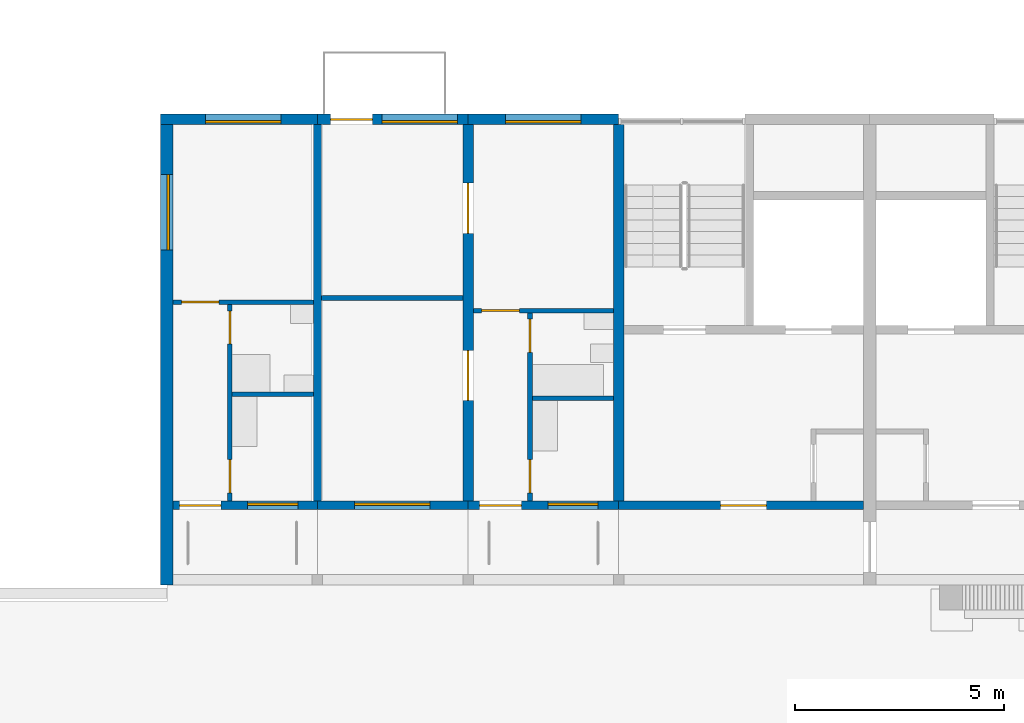
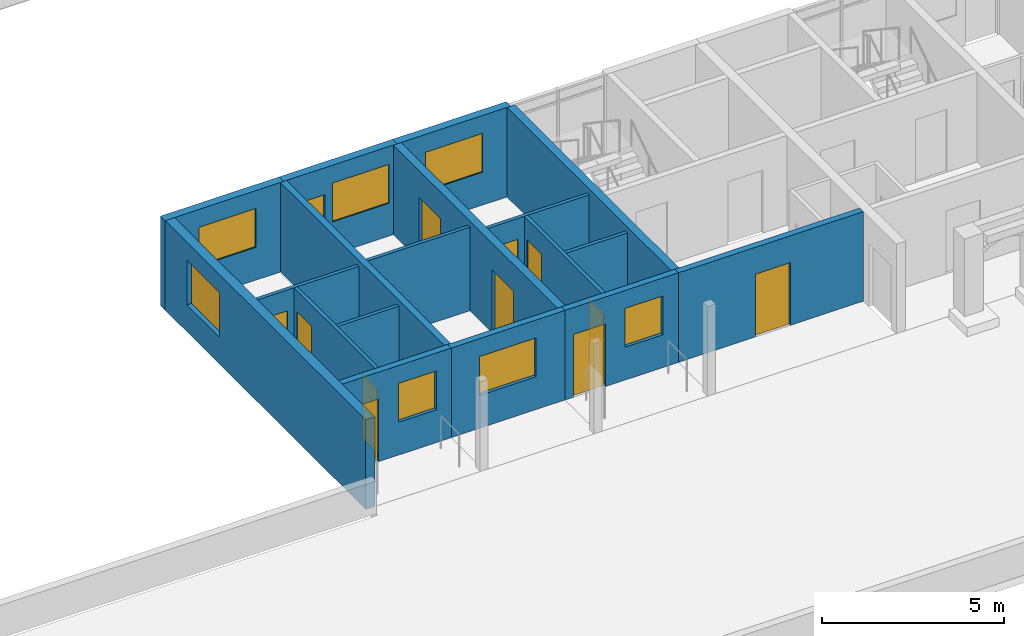
# One storey, part 57 of 115: 18 walls, 12 doors, 7 windows, 19 openings.
"""IFC4 building model written with IfcOpenShell, lengths in metres."""

from ifc_helpers import new_model, si_unit, direction, frame, frame_2d, origin, place, context, subcontext, project, spatial, rectangle, extrude, material, layer, layer_set, type_object, element, fill, save


model = new_model("IFC4")

# Units and contexts
model_context = context("Model", 3, precision=1e-05, world=origin(), true_north=direction((0.0, 1.0)))
body_context = subcontext(model_context, "Body", "Model", "MODEL_VIEW")
ifc_project = project(units=[si_unit("LENGTHUNIT", "METRE"), si_unit("AREAUNIT", "SQUARE_METRE"), si_unit("VOLUMEUNIT", "CUBIC_METRE"), si_unit("PLANEANGLEUNIT", "RADIAN"), si_unit("MASSUNIT", "GRAM", prefix="KILO")], contexts=[model_context])

# Site, building, storey
site_placement = place(None, origin())
site = spatial("IfcSite", under=ifc_project, at=site_placement, CompositionType="ELEMENT")
building_placement = place(site_placement, origin())
building = spatial("IfcBuilding", under=site, at=building_placement, Name="Ridgestep Commons", CompositionType="ELEMENT")
storey_placement = place(building_placement, frame((0.0, 0.0, 6.0)))
storey = spatial("IfcBuildingStorey", under=building, at=storey_placement, Name="L02", CompositionType="ELEMENT", Elevation=6.0)

# Wall
ifc_material_1 = material(Name="Concrete C30/37", Category="concrete")
ifc_layer_1 = layer(ifc_material_1, 0.25)
ifc_layer_set_1 = layer_set([ifc_layer_1], Name="Core cross wall 250")
wall_type_1 = type_object("IfcWallType", Name="Core cross wall 250", PredefinedType="SHEAR", material=ifc_layer_set_1)
wall_1_placement = place(storey_placement, frame((157.60009765625, 13.75, 0.0), z_axis=(0.0, 0.0, 1.0), x_axis=(0.0, 1.0, 0.0)))
element("IfcWall", 1, at=wall_1_placement, inside=storey, type_object=wall_type_1, Name="Cross wall D-02-1576", PredefinedType="SHEAR", context=body_context, shape_type="SweptSolid", body=[
    extrude(rectangle(XDim=9.0, YDim=0.25, at=frame_2d((4.5, 0.0))), origin(), (0.0, 0.0, 1.0), 3.0),
])

# Wall, opening, door
ifc_material_2 = material(Name="Concrete C30/37", Category="concrete")
ifc_layer_2 = layer(ifc_material_2, 0.199951171875)
ifc_layer_set_2 = layer_set([ifc_layer_2], Name="Core south wall 200")
wall_type_2 = type_object("IfcWallType", Name="Core south wall 200", PredefinedType="SHEAR", material=ifc_layer_set_2)
wall_2_placement = place(storey_placement, frame((157.60009765625, 13.64990234375, 0.0), z_axis=(0.0, 0.0, 1.0), x_axis=(1.0, 0.0, 0.0)))
wall_2 = element("IfcWall", 2, at=wall_2_placement, inside=storey, type_object=wall_type_2, Name="Core south wall D1C L02", PredefinedType="SHEAR", context=body_context, shape_type="SweptSolid", body=[
    extrude(rectangle(XDim=5.849853515625, YDim=0.199951171875, at=frame_2d((2.9248046875, 0.0))), origin(), (0.0, 0.0, 1.0), 3.0),
])
opening_1_placement = place(wall_2_placement, frame((2.4375, 0.0, 0.0)))
opening_1 = element("IfcOpeningElement", 3, at=opening_1_placement, cuts=wall_2, Name="Opening D1C/02/1", PredefinedType="OPENING", context=body_context, shape_type="SweptSolid", body=[
    extrude(rectangle(XDim=1.10009765625, YDim=2.10009765625, at=frame_2d((0.550048828125, 1.050048828125))), frame((0.0, 0.10986328125, 0.0), z_axis=(0.0, -1.0, 0.0), x_axis=(1.0, 0.0, 0.0)), (0.0, 0.0, 1.0), 0.219970703125),
])
ifc_material_3 = material(Name="Steel fire door", Category="steel")
door_type_1 = type_object("IfcDoorType", Name="Lobby door 1100 x 2100 FD60", OperationType="NOTDEFINED", PredefinedType="DOOR", material=ifc_material_3)
door_1_placement = place(opening_1_placement, origin())
door_1 = element("IfcDoor", 4, at=door_1_placement, inside=storey, type_object=door_type_1, Name="Lobby door D1C/02/1", OperationType="SINGLE_SWING_LEFT", OverallHeight=2.10009765625, OverallWidth=1.10009765625, PredefinedType="DOOR", context=body_context, shape_type="SweptSolid", body=[
    extrude(rectangle(XDim=1.10009765625, YDim=2.10009765625, at=frame_2d((0.550048828125, 1.050048828125))), frame((0.0, 0.02490234375, 0.0), z_axis=(0.0, -1.0, 0.0), x_axis=(1.0, 0.0, 0.0)), (0.0, 0.0, 1.0), 0.050048828125),
])
fill(opening_1, door_1)

# Wall
ifc_material_4 = material(Name="Precast concrete C40/50", Category="concrete")
ifc_layer_3 = layer(ifc_material_4, 0.199951171875)
ifc_layer_set_3 = layer_set([ifc_layer_3], Name="Cross wall 200")
wall_type_3 = type_object("IfcWallType", Name="Cross wall 200", PredefinedType="SHEAR", material=ifc_layer_set_3)
wall_3_placement = place(storey_placement, frame((150.39990234375, 13.75, 0.0), z_axis=(0.0, 0.0, 1.0), x_axis=(0.0, 1.0, 0.0)))
element("IfcWall", 5, at=wall_3_placement, inside=storey, type_object=wall_type_3, Name="Cross wall D-02-1504", PredefinedType="SHEAR", context=body_context, shape_type="SweptSolid", body=[
    extrude(rectangle(XDim=9.0, YDim=0.199951171875, at=frame_2d((4.5, 0.0))), origin(), (0.0, 0.0, 1.0), 3.0),
])

# Wall, openings, doors
ifc_material_5 = material(Name="Precast concrete C40/50", Category="concrete")
ifc_layer_4 = layer(ifc_material_5, 0.25)
ifc_layer_set_4 = layer_set([ifc_layer_4], Name="Cross wall 250")
wall_type_4 = type_object("IfcWallType", Name="Cross wall 250", PredefinedType="SHEAR", material=ifc_layer_set_4)
wall_4_placement = place(storey_placement, frame((154.0, 13.75, 0.0), z_axis=(0.0, 0.0, 1.0), x_axis=(0.0, 1.0, 0.0)))
wall_4 = element("IfcWall", 6, at=wall_4_placement, inside=storey, type_object=wall_type_4, Name="Cross wall D-02-1540", PredefinedType="SHEAR", context=body_context, shape_type="SweptSolid", body=[
    extrude(rectangle(XDim=9.0, YDim=0.25, at=frame_2d((4.5, 0.0))), origin(), (0.0, 0.0, 1.0), 3.0),
])
opening_2_placement = place(wall_4_placement, frame((2.39990234375, 0.0, 0.0)))
opening_2 = element("IfcOpeningElement", 7, at=opening_2_placement, cuts=wall_4, Name="Opening D1-02b/5", PredefinedType="OPENING", context=body_context, shape_type="SweptSolid", body=[
    extrude(rectangle(XDim=1.199951171875, YDim=2.10009765625, at=frame_2d((0.60009765625, 1.050048828125))), frame((0.0, 0.135009765625, 0.0), z_axis=(0.0, -1.0, 0.0), x_axis=(1.0, 0.0, 0.0)), (0.0, 0.0, 1.0), 0.27001953125),
])
opening_3_placement = place(wall_4_placement, frame((6.39990234375, 0.0, 0.0)))
opening_3 = element("IfcOpeningElement", 8, at=opening_3_placement, cuts=wall_4, Name="Opening D1-02b/6", PredefinedType="OPENING", context=body_context, shape_type="SweptSolid", body=[
    extrude(rectangle(XDim=1.199951171875, YDim=2.10009765625, at=frame_2d((0.60009765625, 1.050048828125))), frame((0.0, 0.135009765625, 0.0), z_axis=(0.0, -1.0, 0.0), x_axis=(1.0, 0.0, 0.0)), (0.0, 0.0, 1.0), 0.27001953125),
])
ifc_material_6 = material(Name="Timber door leaf", Category="wood")
door_type_2 = type_object("IfcDoorType", Name="Double door 1200 x 2100", OperationType="DOUBLE_DOOR_SINGLE_SWING", PredefinedType="DOOR", material=ifc_material_6)
door_2_placement = place(opening_2_placement, origin())
door_2 = element("IfcDoor", 9, at=door_2_placement, inside=storey, type_object=door_type_2, Name="Double door D1-02b/5", OperationType="DOUBLE_DOOR_SINGLE_SWING", OverallHeight=2.10009765625, OverallWidth=1.199951171875, PredefinedType="DOOR", context=body_context, shape_type="SweptSolid", body=[
    extrude(rectangle(XDim=1.199951171875, YDim=2.10009765625, at=frame_2d((0.60009765625, 1.050048828125))), frame((0.0, 0.02490234375, 0.0), z_axis=(0.0, -1.0, 0.0), x_axis=(1.0, 0.0, 0.0)), (0.0, 0.0, 1.0), 0.050048828125),
])
fill(opening_2, door_2)
door_3_placement = place(opening_3_placement, origin())
door_3 = element("IfcDoor", 10, at=door_3_placement, inside=storey, type_object=door_type_2, Name="Double door D1-02b/6", OperationType="DOUBLE_DOOR_SINGLE_SWING", OverallHeight=2.10009765625, OverallWidth=1.199951171875, PredefinedType="DOOR", context=body_context, shape_type="SweptSolid", body=[
    extrude(rectangle(XDim=1.199951171875, YDim=2.10009765625, at=frame_2d((0.60009765625, 1.050048828125))), frame((0.0, 0.02490234375, 0.0), z_axis=(0.0, -1.0, 0.0), x_axis=(1.0, 0.0, 0.0)), (0.0, 0.0, 1.0), 0.050048828125),
])
fill(opening_3, door_3)

# Wall, opening, window
ifc_material_7 = material(Name="Precast concrete C40/50", Category="concrete")
ifc_layer_5 = layer(ifc_material_7, 0.300048828125)
ifc_layer_set_5 = layer_set([ifc_layer_5], Name="Exposed division wall 300")
wall_type_5 = type_object("IfcWallType", Name="Exposed division wall 300", PredefinedType="SHEAR", material=ifc_layer_set_5)
wall_5_placement = place(storey_placement, frame((146.800048828125, 11.75, 0.0), z_axis=(0.0, 0.0, 1.0), x_axis=(0.0, 1.0, 0.0)))
wall_5 = element("IfcWall", 11, at=wall_5_placement, inside=storey, type_object=wall_type_5, Name="Cross wall D-02-1468", PredefinedType="SHEAR", context=body_context, shape_type="SweptSolid", body=[
    extrude(rectangle(XDim=11.0, YDim=0.300048828125, at=frame_2d((5.5, 0.0))), origin(), (0.0, 0.0, 1.0), 3.0),
])
opening_4_placement = place(wall_5_placement, frame((8.0048828125, 0.0, 0.89990234375)))
opening_4 = element("IfcOpeningElement", 12, at=opening_4_placement, cuts=wall_5, Name="Opening W20", PredefinedType="OPENING", context=body_context, shape_type="SweptSolid", body=[
    extrude(rectangle(XDim=1.800048828125, YDim=1.5, at=frame_2d((0.89990234375, 0.75))), frame((0.0, 0.159912109375, 0.0), z_axis=(0.0, -1.0, 0.0), x_axis=(1.0, 0.0, 0.0)), (0.0, 0.0, 1.0), 0.320068359375),
])
ifc_material_8 = material(Name="Aluminium 6063-T6 and glass", Category="aluminium")
window_type_1 = type_object("IfcWindowType", Name="Flat window 1800 x 1500", PartitioningType="DOUBLE_PANEL_VERTICAL", PredefinedType="WINDOW", material=ifc_material_8)
window_1_placement = place(opening_4_placement, origin())
window_1 = element("IfcWindow", 13, at=window_1_placement, inside=storey, type_object=window_type_1, Name="Window D1-02a 3", OverallHeight=1.5, OverallWidth=1.800048828125, PartitioningType="SINGLE_PANEL", PredefinedType="WINDOW", context=body_context, shape_type="SweptSolid", body=[
    extrude(rectangle(XDim=1.800048828125, YDim=1.5, at=frame_2d((0.89990234375, 0.75))), frame((0.0, 0.0, 0.0), z_axis=(0.0, -1.0, 0.0), x_axis=(1.0, 0.0, 0.0)), (0.0, 0.0, 1.0), 0.06005859375),
])
fill(opening_4, window_1)

ifc_material_9 = material(Name="Precast concrete C40/50", Category="concrete")
ifc_layer_6 = layer(ifc_material_9, 0.25)
ifc_layer_set_6 = layer_set([ifc_layer_6], Name="North facade panel 250")
wall_type_6 = type_object("IfcWallType", Name="North facade panel 250", PredefinedType="SOLIDWALL", material=ifc_layer_set_6)
wall_6_placement = place(storey_placement, frame((146.64990234375, 22.875, 0.0), z_axis=(0.0, 0.0, 1.0), x_axis=(1.0, 0.0, 0.0)))
wall_6 = element("IfcWall", 14, at=wall_6_placement, inside=storey, type_object=wall_type_6, Name="North panel D1T1 L02", PredefinedType="SOLIDWALL", context=body_context, shape_type="SweptSolid", body=[
    extrude(rectangle(XDim=3.75, YDim=0.25, at=frame_2d((1.875, 0.0))), origin(), (0.0, 0.0, 1.0), 3.0),
])
opening_5_placement = place(wall_6_placement, frame((1.074951171875, 0.0, 1.10009765625)))
opening_5 = element("IfcOpeningElement", 15, at=opening_5_placement, cuts=wall_6, Name="Opening W18", PredefinedType="OPENING", context=body_context, shape_type="SweptSolid", body=[
    extrude(rectangle(XDim=1.800048828125, YDim=1.300048828125, at=frame_2d((0.89990234375, 0.64990234375))), frame((0.0, 0.135009765625, 0.0), z_axis=(0.0, -1.0, 0.0), x_axis=(1.0, 0.0, 0.0)), (0.0, 0.0, 1.0), 0.27001953125),
])
ifc_material_10 = material(Name="Aluminium 6063-T6 and glass", Category="aluminium")
window_type_2 = type_object("IfcWindowType", Name="Flat window 1800 x 1300", PartitioningType="DOUBLE_PANEL_VERTICAL", PredefinedType="WINDOW", material=ifc_material_10)
window_2_placement = place(opening_5_placement, origin())
window_2 = element("IfcWindow", 16, at=window_2_placement, inside=storey, type_object=window_type_2, Name="Window D1-02a 2", OverallHeight=1.300048828125, OverallWidth=1.800048828125, PartitioningType="SINGLE_PANEL", PredefinedType="WINDOW", context=body_context, shape_type="SweptSolid", body=[
    extrude(rectangle(XDim=1.800048828125, YDim=1.300048828125, at=frame_2d((0.89990234375, 0.64990234375))), frame((0.0, -0.02490234375, 0.0), z_axis=(0.0, -1.0, 0.0), x_axis=(1.0, 0.0, 0.0)), (0.0, 0.0, 1.0), 0.06005859375),
])
fill(opening_5, window_2)

# Wall, openings, door, window
wall_7_placement = place(storey_placement, frame((150.39990234375, 22.875, 0.0), z_axis=(0.0, 0.0, 1.0), x_axis=(1.0, 0.0, 0.0)))
wall_7 = element("IfcWall", 17, at=wall_7_placement, inside=storey, type_object=wall_type_6, Name="North panel D1T2 L02", PredefinedType="SOLIDWALL", context=body_context, shape_type="SweptSolid", body=[
    extrude(rectangle(XDim=3.60009765625, YDim=0.25, at=frame_2d((1.800048828125, 0.0))), origin(), (0.0, 0.0, 1.0), 3.0),
])
opening_6_placement = place(wall_7_placement, frame((1.544921875, 0.0, 1.10009765625)))
opening_6 = element("IfcOpeningElement", 18, at=opening_6_placement, cuts=wall_7, Name="Opening W18", PredefinedType="OPENING", context=body_context, shape_type="SweptSolid", body=[
    extrude(rectangle(XDim=1.800048828125, YDim=1.300048828125, at=frame_2d((0.89990234375, 0.64990234375))), frame((0.0, 0.135009765625, 0.0), z_axis=(0.0, -1.0, 0.0), x_axis=(1.0, 0.0, 0.0)), (0.0, 0.0, 1.0), 0.27001953125),
])
opening_7_placement = place(wall_7_placement, frame((0.31494140625, 0.0, 0.0)))
opening_7 = element("IfcOpeningElement", 19, at=opening_7_placement, cuts=wall_7, Name="Opening D1-02b/7", PredefinedType="OPENING", context=body_context, shape_type="SweptSolid", body=[
    extrude(rectangle(XDim=1.0, YDim=2.10009765625, at=frame_2d((0.5, 1.050048828125))), frame((0.0, 0.135009765625, 0.0), z_axis=(0.0, -1.0, 0.0), x_axis=(1.0, 0.0, 0.0)), (0.0, 0.0, 1.0), 0.27001953125),
])
ifc_material_11 = material(Name="Aluminium and glass", Category="aluminium")
door_type_3 = type_object("IfcDoorType", Name="Balcony door 1000 x 2100", OperationType="NOTDEFINED", PredefinedType="DOOR", material=ifc_material_11)
door_4_placement = place(opening_7_placement, origin())
door_4 = element("IfcDoor", 20, at=door_4_placement, inside=storey, type_object=door_type_3, Name="Balcony door D1-02b/7", OperationType="SINGLE_SWING_RIGHT", OverallHeight=2.10009765625, OverallWidth=1.0, PredefinedType="DOOR", context=body_context, shape_type="SweptSolid", body=[
    extrude(rectangle(XDim=1.0, YDim=2.10009765625, at=frame_2d((0.5, 1.050048828125))), frame((0.0, 0.02490234375, 0.0), z_axis=(0.0, -1.0, 0.0), x_axis=(1.0, 0.0, 0.0)), (0.0, 0.0, 1.0), 0.050048828125),
])
fill(opening_7, door_4)
window_3_placement = place(opening_6_placement, origin())
window_3 = element("IfcWindow", 21, at=window_3_placement, inside=storey, type_object=window_type_2, Name="Window D1-02b 2", OverallHeight=1.300048828125, OverallWidth=1.800048828125, PartitioningType="SINGLE_PANEL", PredefinedType="WINDOW", context=body_context, shape_type="SweptSolid", body=[
    extrude(rectangle(XDim=1.800048828125, YDim=1.300048828125, at=frame_2d((0.89990234375, 0.64990234375))), frame((0.0, -0.02490234375, 0.0), z_axis=(0.0, -1.0, 0.0), x_axis=(1.0, 0.0, 0.0)), (0.0, 0.0, 1.0), 0.06005859375),
])
fill(opening_6, window_3)

# Wall, opening, window
wall_8_placement = place(storey_placement, frame((154.0, 22.875, 0.0), z_axis=(0.0, 0.0, 1.0), x_axis=(1.0, 0.0, 0.0)))
wall_8 = element("IfcWall", 22, at=wall_8_placement, inside=storey, type_object=wall_type_6, Name="North panel D1T3 L02", PredefinedType="SOLIDWALL", context=body_context, shape_type="SweptSolid", body=[
    extrude(rectangle(XDim=3.60009765625, YDim=0.25, at=frame_2d((1.800048828125, 0.0))), origin(), (0.0, 0.0, 1.0), 3.0),
])
opening_8_placement = place(wall_8_placement, frame((0.89990234375, 0.0, 1.10009765625)))
opening_8 = element("IfcOpeningElement", 23, at=opening_8_placement, cuts=wall_8, Name="Opening W18", PredefinedType="OPENING", context=body_context, shape_type="SweptSolid", body=[
    extrude(rectangle(XDim=1.800048828125, YDim=1.300048828125, at=frame_2d((0.89990234375, 0.64990234375))), frame((0.0, 0.135009765625, 0.0), z_axis=(0.0, -1.0, 0.0), x_axis=(1.0, 0.0, 0.0)), (0.0, 0.0, 1.0), 0.27001953125),
])
window_4_placement = place(opening_8_placement, origin())
window_4 = element("IfcWindow", 24, at=window_4_placement, inside=storey, type_object=window_type_2, Name="Window D1-02b 4", OverallHeight=1.300048828125, OverallWidth=1.800048828125, PartitioningType="SINGLE_PANEL", PredefinedType="WINDOW", context=body_context, shape_type="SweptSolid", body=[
    extrude(rectangle(XDim=1.800048828125, YDim=1.300048828125, at=frame_2d((0.89990234375, 0.64990234375))), frame((0.0, -0.02490234375, 0.0), z_axis=(0.0, -1.0, 0.0), x_axis=(1.0, 0.0, 0.0)), (0.0, 0.0, 1.0), 0.06005859375),
])
fill(opening_8, window_4)

# Wall, openings, doors
ifc_material_12 = material(Name="Common brick 110 mm", Category="masonry")
ifc_layer_7 = layer(ifc_material_12, 0.110107421875)
ifc_layer_set_7 = layer_set([ifc_layer_7], Name="Partition 110")
wall_type_7 = type_object("IfcWallType", Name="Partition 110", PredefinedType="PARTITIONING", material=ifc_layer_set_7)
wall_9_placement = place(storey_placement, frame((148.304931640625, 13.75, 0.0), z_axis=(0.0, 0.0, 1.0), x_axis=(0.0, 1.0, 0.0)))
wall_9 = element("IfcWall", 25, at=wall_9_placement, inside=storey, type_object=wall_type_7, Name="Partition D1-02a", PredefinedType="PARTITIONING", context=body_context, shape_type="SweptSolid", body=[
    extrude(rectangle(XDim=4.699951171875, YDim=0.110107421875, at=frame_2d((2.35009765625, 0.0))), origin(), (0.0, 0.0, 1.0), 2.800048828125),
])
opening_9_placement = place(wall_9_placement, frame((0.199951171875, 0.0, 0.0)))
opening_9 = element("IfcOpeningElement", 26, at=opening_9_placement, cuts=wall_9, Name="Opening D1-02a/2", PredefinedType="OPENING", context=body_context, shape_type="SweptSolid", body=[
    extrude(rectangle(XDim=0.800048828125, YDim=2.10009765625, at=frame_2d((0.39990234375, 1.050048828125))), frame((0.0, 0.06494140625, 0.0), z_axis=(0.0, -1.0, 0.0), x_axis=(1.0, 0.0, 0.0)), (0.0, 0.0, 1.0), 0.130126953125),
])
opening_10_placement = place(wall_9_placement, frame((3.75, 0.0, 0.0)))
opening_10 = element("IfcOpeningElement", 27, at=opening_10_placement, cuts=wall_9, Name="Opening D1-02a/3", PredefinedType="OPENING", context=body_context, shape_type="SweptSolid", body=[
    extrude(rectangle(XDim=0.800048828125, YDim=2.10009765625, at=frame_2d((0.39990234375, 1.050048828125))), frame((0.0, 0.06494140625, 0.0), z_axis=(0.0, -1.0, 0.0), x_axis=(1.0, 0.0, 0.0)), (0.0, 0.0, 1.0), 0.130126953125),
])
ifc_material_13 = material(Name="Timber door leaf", Category="wood")
door_type_4 = type_object("IfcDoorType", Name="Internal door 800 x 2100", OperationType="NOTDEFINED", PredefinedType="DOOR", material=ifc_material_13)
door_5_placement = place(opening_9_placement, origin())
door_5 = element("IfcDoor", 28, at=door_5_placement, inside=storey, type_object=door_type_4, Name="Internal door D1-02a/2", OperationType="SINGLE_SWING_RIGHT", OverallHeight=2.10009765625, OverallWidth=0.800048828125, PredefinedType="DOOR", context=body_context, shape_type="SweptSolid", body=[
    extrude(rectangle(XDim=0.800048828125, YDim=2.10009765625, at=frame_2d((0.39990234375, 1.050048828125))), frame((0.0, 0.02490234375, 0.0), z_axis=(0.0, -1.0, 0.0), x_axis=(1.0, 0.0, 0.0)), (0.0, 0.0, 1.0), 0.050048828125),
])
fill(opening_9, door_5)
door_6_placement = place(opening_10_placement, origin())
door_6 = element("IfcDoor", 29, at=door_6_placement, inside=storey, type_object=door_type_4, Name="Internal door D1-02a/3", OperationType="SINGLE_SWING_LEFT", OverallHeight=2.10009765625, OverallWidth=0.800048828125, PredefinedType="DOOR", context=body_context, shape_type="SweptSolid", body=[
    extrude(rectangle(XDim=0.800048828125, YDim=2.10009765625, at=frame_2d((0.39990234375, 1.050048828125))), frame((0.0, 0.02490234375, 0.0), z_axis=(0.0, -1.0, 0.0), x_axis=(1.0, 0.0, 0.0)), (0.0, 0.0, 1.0), 0.050048828125),
])
fill(opening_10, door_6)

# Wall
wall_10_placement = place(storey_placement, frame((148.360107421875, 16.304931640625, 0.0), z_axis=(0.0, 0.0, 1.0), x_axis=(1.0, 0.0, 0.0)))
element("IfcWall", 30, at=wall_10_placement, inside=storey, type_object=wall_type_7, Name="Partition D1-02a", PredefinedType="PARTITIONING", context=body_context, shape_type="SweptSolid", body=[
    extrude(rectangle(XDim=1.93994140625, YDim=0.110107421875, at=frame_2d((0.969970703125, 0.0))), origin(), (0.0, 0.0, 1.0), 2.800048828125),
])

# Wall, opening, door
wall_11_placement = place(storey_placement, frame((146.949951171875, 18.5048828125, 0.0), z_axis=(0.0, 0.0, 1.0), x_axis=(1.0, 0.0, 0.0)))
wall_11 = element("IfcWall", 31, at=wall_11_placement, inside=storey, type_object=wall_type_7, Name="Partition D1-02a", PredefinedType="PARTITIONING", context=body_context, shape_type="SweptSolid", body=[
    extrude(rectangle(XDim=3.35009765625, YDim=0.110107421875, at=frame_2d((1.675048828125, 0.0))), origin(), (0.0, 0.0, 1.0), 2.800048828125),
])
opening_11_placement = place(wall_11_placement, frame((0.199951171875, 0.0, 0.0)))
opening_11 = element("IfcOpeningElement", 32, at=opening_11_placement, cuts=wall_11, Name="Opening D1-02a/4", PredefinedType="OPENING", context=body_context, shape_type="SweptSolid", body=[
    extrude(rectangle(XDim=0.89990234375, YDim=2.10009765625, at=frame_2d((0.449951171875, 1.050048828125))), frame((0.0, 0.06494140625, 0.0), z_axis=(0.0, -1.0, 0.0), x_axis=(1.0, 0.0, 0.0)), (0.0, 0.0, 1.0), 0.130126953125),
])
ifc_material_14 = material(Name="Timber door leaf", Category="wood")
door_type_5 = type_object("IfcDoorType", Name="Internal door 900 x 2100", OperationType="NOTDEFINED", PredefinedType="DOOR", material=ifc_material_14)
door_7_placement = place(opening_11_placement, origin())
door_7 = element("IfcDoor", 33, at=door_7_placement, inside=storey, type_object=door_type_5, Name="Internal door D1-02a/4", OperationType="SINGLE_SWING_LEFT", OverallHeight=2.10009765625, OverallWidth=0.89990234375, PredefinedType="DOOR", context=body_context, shape_type="SweptSolid", body=[
    extrude(rectangle(XDim=0.89990234375, YDim=2.10009765625, at=frame_2d((0.449951171875, 1.050048828125))), frame((0.0, 0.02490234375, 0.0), z_axis=(0.0, -1.0, 0.0), x_axis=(1.0, 0.0, 0.0)), (0.0, 0.0, 1.0), 0.050048828125),
])
fill(opening_11, door_7)

# Wall, openings, doors
wall_12_placement = place(storey_placement, frame((155.47998046875, 13.75, 0.0), z_axis=(0.0, 0.0, 1.0), x_axis=(0.0, 1.0, 0.0)))
wall_12 = element("IfcWall", 34, at=wall_12_placement, inside=storey, type_object=wall_type_7, Name="Partition D1-02b", PredefinedType="PARTITIONING", context=body_context, shape_type="SweptSolid", body=[
    extrude(rectangle(XDim=4.5, YDim=0.110107421875, at=frame_2d((2.25, 0.0))), origin(), (0.0, 0.0, 1.0), 2.800048828125),
])
opening_12_placement = place(wall_12_placement, frame((0.199951171875, 0.0, 0.0)))
opening_12 = element("IfcOpeningElement", 35, at=opening_12_placement, cuts=wall_12, Name="Opening D1-02b/2", PredefinedType="OPENING", context=body_context, shape_type="SweptSolid", body=[
    extrude(rectangle(XDim=0.800048828125, YDim=2.10009765625, at=frame_2d((0.39990234375, 1.050048828125))), frame((0.0, 0.06494140625, 0.0), z_axis=(0.0, -1.0, 0.0), x_axis=(1.0, 0.0, 0.0)), (0.0, 0.0, 1.0), 0.130126953125),
])
opening_13_placement = place(wall_12_placement, frame((3.550048828125, 0.0, 0.0)))
opening_13 = element("IfcOpeningElement", 36, at=opening_13_placement, cuts=wall_12, Name="Opening D1-02b/3", PredefinedType="OPENING", context=body_context, shape_type="SweptSolid", body=[
    extrude(rectangle(XDim=0.800048828125, YDim=2.10009765625, at=frame_2d((0.39990234375, 1.050048828125))), frame((0.0, 0.06494140625, 0.0), z_axis=(0.0, -1.0, 0.0), x_axis=(1.0, 0.0, 0.0)), (0.0, 0.0, 1.0), 0.130126953125),
])
door_8_placement = place(opening_12_placement, origin())
door_8 = element("IfcDoor", 37, at=door_8_placement, inside=storey, type_object=door_type_4, Name="Internal door D1-02b/2", OperationType="SINGLE_SWING_RIGHT", OverallHeight=2.10009765625, OverallWidth=0.800048828125, PredefinedType="DOOR", context=body_context, shape_type="SweptSolid", body=[
    extrude(rectangle(XDim=0.800048828125, YDim=2.10009765625, at=frame_2d((0.39990234375, 1.050048828125))), frame((0.0, 0.02490234375, 0.0), z_axis=(0.0, -1.0, 0.0), x_axis=(1.0, 0.0, 0.0)), (0.0, 0.0, 1.0), 0.050048828125),
])
fill(opening_12, door_8)
door_9_placement = place(opening_13_placement, origin())
door_9 = element("IfcDoor", 38, at=door_9_placement, inside=storey, type_object=door_type_4, Name="Internal door D1-02b/3", OperationType="SINGLE_SWING_LEFT", OverallHeight=2.10009765625, OverallWidth=0.800048828125, PredefinedType="DOOR", context=body_context, shape_type="SweptSolid", body=[
    extrude(rectangle(XDim=0.800048828125, YDim=2.10009765625, at=frame_2d((0.39990234375, 1.050048828125))), frame((0.0, 0.02490234375, 0.0), z_axis=(0.0, -1.0, 0.0), x_axis=(1.0, 0.0, 0.0)), (0.0, 0.0, 1.0), 0.050048828125),
])
fill(opening_13, door_9)

# Wall
wall_13_placement = place(storey_placement, frame((155.534912109375, 16.205078125, 0.0), z_axis=(0.0, 0.0, 1.0), x_axis=(1.0, 0.0, 0.0)))
element("IfcWall", 39, at=wall_13_placement, inside=storey, type_object=wall_type_7, Name="Partition D1-02b", PredefinedType="PARTITIONING", context=body_context, shape_type="SweptSolid", body=[
    extrude(rectangle(XDim=1.940185546875, YDim=0.110107421875, at=frame_2d((0.97021484375, 0.0))), origin(), (0.0, 0.0, 1.0), 2.800048828125),
])

# Wall, opening, door
wall_14_placement = place(storey_placement, frame((154.125, 18.304931640625, 0.0), z_axis=(0.0, 0.0, 1.0), x_axis=(1.0, 0.0, 0.0)))
wall_14 = element("IfcWall", 40, at=wall_14_placement, inside=storey, type_object=wall_type_7, Name="Partition D1-02b", PredefinedType="PARTITIONING", context=body_context, shape_type="SweptSolid", body=[
    extrude(rectangle(XDim=3.35009765625, YDim=0.110107421875, at=frame_2d((1.675048828125, 0.0))), origin(), (0.0, 0.0, 1.0), 2.800048828125),
])
opening_14_placement = place(wall_14_placement, frame((0.199951171875, 0.0, 0.0)))
opening_14 = element("IfcOpeningElement", 41, at=opening_14_placement, cuts=wall_14, Name="Opening D1-02b/4", PredefinedType="OPENING", context=body_context, shape_type="SweptSolid", body=[
    extrude(rectangle(XDim=0.89990234375, YDim=2.10009765625, at=frame_2d((0.449951171875, 1.050048828125))), frame((0.0, 0.06494140625, 0.0), z_axis=(0.0, -1.0, 0.0), x_axis=(1.0, 0.0, 0.0)), (0.0, 0.0, 1.0), 0.130126953125),
])
door_10_placement = place(opening_14_placement, origin())
door_10 = element("IfcDoor", 42, at=door_10_placement, inside=storey, type_object=door_type_5, Name="Internal door D1-02b/4", OperationType="SINGLE_SWING_LEFT", OverallHeight=2.10009765625, OverallWidth=0.89990234375, PredefinedType="DOOR", context=body_context, shape_type="SweptSolid", body=[
    extrude(rectangle(XDim=0.89990234375, YDim=2.10009765625, at=frame_2d((0.449951171875, 1.050048828125))), frame((0.0, 0.02490234375, 0.0), z_axis=(0.0, -1.0, 0.0), x_axis=(1.0, 0.0, 0.0)), (0.0, 0.0, 1.0), 0.050048828125),
])
fill(opening_14, door_10)

# Wall
wall_15_placement = place(storey_placement, frame((150.5, 18.60498046875, 0.0), z_axis=(0.0, 0.0, 1.0), x_axis=(1.0, 0.0, 0.0)))
element("IfcWall", 43, at=wall_15_placement, inside=storey, type_object=wall_type_7, Name="Partition D1-02b", PredefinedType="PARTITIONING", context=body_context, shape_type="SweptSolid", body=[
    extrude(rectangle(XDim=3.375, YDim=0.110107421875, at=frame_2d((1.6875, 0.0))), origin(), (0.0, 0.0, 1.0), 2.800048828125),
])

# Wall, openings, door, window
ifc_material_15 = material(Name="Precast concrete C40/50", Category="concrete")
ifc_layer_8 = layer(ifc_material_15, 0.199951171875)
ifc_layer_set_8 = layer_set([ifc_layer_8], Name="South facade panel 200")
wall_type_8 = type_object("IfcWallType", Name="South facade panel 200", PredefinedType="SOLIDWALL", material=ifc_layer_set_8)
wall_16_placement = place(storey_placement, frame((146.949951171875, 13.64990234375, 0.0), z_axis=(0.0, 0.0, 1.0), x_axis=(1.0, 0.0, 0.0)))
wall_16 = element("IfcWall", 44, at=wall_16_placement, inside=storey, type_object=wall_type_8, Name="South panel D1T1 L02", PredefinedType="SOLIDWALL", context=body_context, shape_type="SweptSolid", body=[
    extrude(rectangle(XDim=3.449951171875, YDim=0.199951171875, at=frame_2d((1.72509765625, 0.0))), origin(), (0.0, 0.0, 1.0), 3.0),
])
opening_15_placement = place(wall_16_placement, frame((1.780029296875, 0.0, 1.10009765625)))
opening_15 = element("IfcOpeningElement", 45, at=opening_15_placement, cuts=wall_16, Name="Opening W08", PredefinedType="OPENING", context=body_context, shape_type="SweptSolid", body=[
    extrude(rectangle(XDim=1.199951171875, YDim=1.300048828125, at=frame_2d((0.60009765625, 0.64990234375))), frame((0.0, 0.10986328125, 0.0), z_axis=(0.0, -1.0, 0.0), x_axis=(1.0, 0.0, 0.0)), (0.0, 0.0, 1.0), 0.219970703125),
])
opening_16_placement = place(wall_16_placement, frame((0.14990234375, 0.0, 0.0)))
opening_16 = element("IfcOpeningElement", 46, at=opening_16_placement, cuts=wall_16, Name="Opening D1-02a/1", PredefinedType="OPENING", context=body_context, shape_type="SweptSolid", body=[
    extrude(rectangle(XDim=1.0, YDim=2.10009765625, at=frame_2d((0.5, 1.050048828125))), frame((0.0, 0.10986328125, 0.0), z_axis=(0.0, -1.0, 0.0), x_axis=(1.0, 0.0, 0.0)), (0.0, 0.0, 1.0), 0.219970703125),
])
ifc_material_16 = material(Name="Timber door leaf", Category="wood")
door_type_6 = type_object("IfcDoorType", Name="Flat entrance door 1000 x 2100 FD30S", OperationType="NOTDEFINED", PredefinedType="DOOR", material=ifc_material_16)
door_11_placement = place(opening_16_placement, origin())
door_11 = element("IfcDoor", 47, at=door_11_placement, inside=storey, type_object=door_type_6, Name="Flat entrance door D1-02a/1", OperationType="SINGLE_SWING_LEFT", OverallHeight=2.10009765625, OverallWidth=1.0, PredefinedType="DOOR", context=body_context, shape_type="SweptSolid", body=[
    extrude(rectangle(XDim=1.0, YDim=2.10009765625, at=frame_2d((0.5, 1.050048828125))), frame((0.0, 0.02490234375, 0.0), z_axis=(0.0, -1.0, 0.0), x_axis=(1.0, 0.0, 0.0)), (0.0, 0.0, 1.0), 0.050048828125),
])
fill(opening_16, door_11)
ifc_material_17 = material(Name="Aluminium 6063-T6 and glass", Category="aluminium")
window_type_3 = type_object("IfcWindowType", Name="Flat window 1200 x 1300", PartitioningType="SINGLE_PANEL", PredefinedType="WINDOW", material=ifc_material_17)
window_5_placement = place(opening_15_placement, origin())
window_5 = element("IfcWindow", 48, at=window_5_placement, inside=storey, type_object=window_type_3, Name="Window D1-02a 1", OverallHeight=1.300048828125, OverallWidth=1.199951171875, PartitioningType="SINGLE_PANEL", PredefinedType="WINDOW", context=body_context, shape_type="SweptSolid", body=[
    extrude(rectangle(XDim=1.199951171875, YDim=1.300048828125, at=frame_2d((0.60009765625, 0.64990234375))), frame((0.0, 0.06005859375, 0.0), z_axis=(0.0, -1.0, 0.0), x_axis=(1.0, 0.0, 0.0)), (0.0, 0.0, 1.0), 0.06005859375),
])
fill(opening_15, window_5)

# Wall, opening, window
wall_17_placement = place(storey_placement, frame((150.39990234375, 13.64990234375, 0.0), z_axis=(0.0, 0.0, 1.0), x_axis=(1.0, 0.0, 0.0)))
wall_17 = element("IfcWall", 49, at=wall_17_placement, inside=storey, type_object=wall_type_8, Name="South panel D1T2 L02", PredefinedType="SOLIDWALL", context=body_context, shape_type="SweptSolid", body=[
    extrude(rectangle(XDim=3.60009765625, YDim=0.199951171875, at=frame_2d((1.800048828125, 0.0))), origin(), (0.0, 0.0, 1.0), 3.0),
])
opening_17_placement = place(wall_17_placement, frame((0.887451171875, 0.0, 1.10009765625)))
opening_17 = element("IfcOpeningElement", 50, at=opening_17_placement, cuts=wall_17, Name="Opening W18", PredefinedType="OPENING", context=body_context, shape_type="SweptSolid", body=[
    extrude(rectangle(XDim=1.800048828125, YDim=1.300048828125, at=frame_2d((0.89990234375, 0.64990234375))), frame((0.0, 0.10986328125, 0.0), z_axis=(0.0, -1.0, 0.0), x_axis=(1.0, 0.0, 0.0)), (0.0, 0.0, 1.0), 0.219970703125),
])
window_6_placement = place(opening_17_placement, origin())
window_6 = element("IfcWindow", 51, at=window_6_placement, inside=storey, type_object=window_type_2, Name="Window D1-02b 1", OverallHeight=1.300048828125, OverallWidth=1.800048828125, PartitioningType="SINGLE_PANEL", PredefinedType="WINDOW", context=body_context, shape_type="SweptSolid", body=[
    extrude(rectangle(XDim=1.800048828125, YDim=1.300048828125, at=frame_2d((0.89990234375, 0.64990234375))), frame((0.0, 0.06005859375, 0.0), z_axis=(0.0, -1.0, 0.0), x_axis=(1.0, 0.0, 0.0)), (0.0, 0.0, 1.0), 0.06005859375),
])
fill(opening_17, window_6)

# Wall, openings, door, window
wall_18_placement = place(storey_placement, frame((154.0, 13.64990234375, 0.0), z_axis=(0.0, 0.0, 1.0), x_axis=(1.0, 0.0, 0.0)))
wall_18 = element("IfcWall", 52, at=wall_18_placement, inside=storey, type_object=wall_type_8, Name="South panel D1T3 L02", PredefinedType="SOLIDWALL", context=body_context, shape_type="SweptSolid", body=[
    extrude(rectangle(XDim=3.60009765625, YDim=0.199951171875, at=frame_2d((1.800048828125, 0.0))), origin(), (0.0, 0.0, 1.0), 3.0),
])
opening_18_placement = place(wall_18_placement, frame((1.905029296875, 0.0, 1.10009765625)))
opening_18 = element("IfcOpeningElement", 53, at=opening_18_placement, cuts=wall_18, Name="Opening W08", PredefinedType="OPENING", context=body_context, shape_type="SweptSolid", body=[
    extrude(rectangle(XDim=1.199951171875, YDim=1.300048828125, at=frame_2d((0.60009765625, 0.64990234375))), frame((0.0, 0.10986328125, 0.0), z_axis=(0.0, -1.0, 0.0), x_axis=(1.0, 0.0, 0.0)), (0.0, 0.0, 1.0), 0.219970703125),
])
opening_19_placement = place(wall_18_placement, frame((0.27490234375, 0.0, 0.0)))
opening_19 = element("IfcOpeningElement", 54, at=opening_19_placement, cuts=wall_18, Name="Opening D1-02b/1", PredefinedType="OPENING", context=body_context, shape_type="SweptSolid", body=[
    extrude(rectangle(XDim=1.0, YDim=2.10009765625, at=frame_2d((0.5, 1.050048828125))), frame((0.0, 0.10986328125, 0.0), z_axis=(0.0, -1.0, 0.0), x_axis=(1.0, 0.0, 0.0)), (0.0, 0.0, 1.0), 0.219970703125),
])
door_12_placement = place(opening_19_placement, origin())
door_12 = element("IfcDoor", 55, at=door_12_placement, inside=storey, type_object=door_type_6, Name="Flat entrance door D1-02b/1", OperationType="SINGLE_SWING_LEFT", OverallHeight=2.10009765625, OverallWidth=1.0, PredefinedType="DOOR", context=body_context, shape_type="SweptSolid", body=[
    extrude(rectangle(XDim=1.0, YDim=2.10009765625, at=frame_2d((0.5, 1.050048828125))), frame((0.0, 0.02490234375, 0.0), z_axis=(0.0, -1.0, 0.0), x_axis=(1.0, 0.0, 0.0)), (0.0, 0.0, 1.0), 0.050048828125),
])
fill(opening_19, door_12)
window_7_placement = place(opening_18_placement, origin())
window_7 = element("IfcWindow", 56, at=window_7_placement, inside=storey, type_object=window_type_3, Name="Window D1-02b 3", OverallHeight=1.300048828125, OverallWidth=1.199951171875, PartitioningType="SINGLE_PANEL", PredefinedType="WINDOW", context=body_context, shape_type="SweptSolid", body=[
    extrude(rectangle(XDim=1.199951171875, YDim=1.300048828125, at=frame_2d((0.60009765625, 0.64990234375))), frame((0.0, 0.06005859375, 0.0), z_axis=(0.0, -1.0, 0.0), x_axis=(1.0, 0.0, 0.0)), (0.0, 0.0, 1.0), 0.06005859375),
])
fill(opening_18, window_7)

save(model, "model.ifc")
